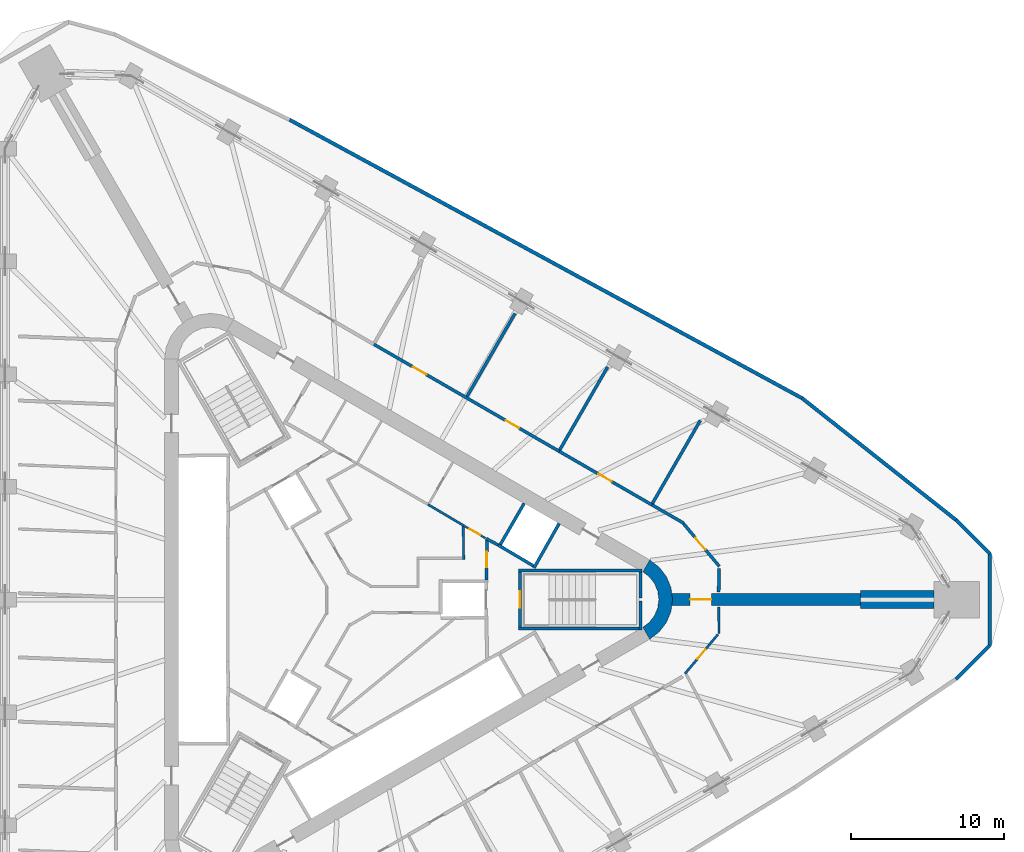
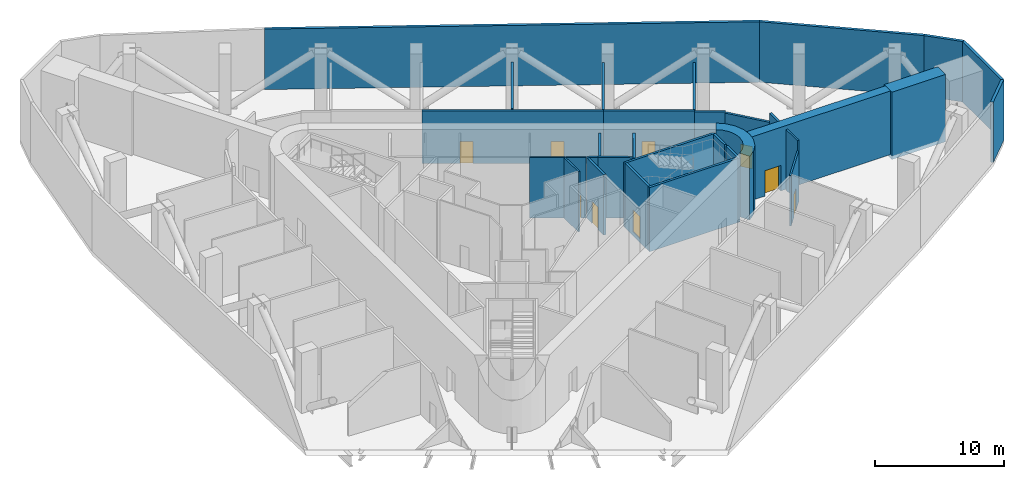
# One storey, part 7 of 13: 31 walls, 9 doors, 9 openings.
"""IFC4 building model written with IfcOpenShell, lengths in metres."""

from ifc_helpers import new_model, si_unit, direction, frame, frame_2d, origin, place, context, subcontext, project, spatial, polyline, rectangle, outline, extrude, material, layer, layer_set, type_object, element, fill, save


model = new_model("IFC4")

# Units and contexts
model_context = context("Model", 3, precision=1e-05, world=origin(), true_north=direction((0.0, 1.0)))
body_context = subcontext(model_context, "Body", "Model", "MODEL_VIEW")
ifc_project = project(units=[si_unit("LENGTHUNIT", "METRE"), si_unit("AREAUNIT", "SQUARE_METRE"), si_unit("VOLUMEUNIT", "CUBIC_METRE"), si_unit("PLANEANGLEUNIT", "RADIAN"), si_unit("MASSUNIT", "GRAM", prefix="KILO")], contexts=[model_context])

# Site, building, storey
site_placement = place(None, origin())
site = spatial("IfcSite", under=ifc_project, at=site_placement, CompositionType="ELEMENT")
building_placement = place(site_placement, origin())
building = spatial("IfcBuilding", under=site, at=building_placement, Name="Tanit Gate Tower", CompositionType="ELEMENT")
storey_placement = place(building_placement, frame((0.0, 0.0, 163.199951171875)))
storey = spatial("IfcBuildingStorey", under=building, at=storey_placement, Name="L35", CompositionType="ELEMENT", Elevation=163.199951171875)

# Wall, opening, door
ifc_material_1 = material(Name="Concrete C60/75", Category="concrete")
ifc_layer_1 = layer(ifc_material_1, 0.800048828125)
ifc_layer_set_1 = layer_set([ifc_layer_1], Name="BUTTRESS FIN 800 C60/75")
wall_type_1 = type_object("IfcWallType", Name="BUTTRESS FIN 800 C60/75", PredefinedType="SHEAR", material=ifc_layer_set_1)
wall_1_placement = place(storey_placement, frame((21.14990234375, 0.0, 0.0), z_axis=(0.0, 0.0, 1.0), x_axis=(1.0, 0.0, 0.0)))
wall_1 = element("IfcWall", 1, at=wall_1_placement, inside=storey, type_object=wall_type_1, Name="BUTTRESS FIN", PredefinedType="SHEAR", context=body_context, shape_type="SweptSolid", body=[
    extrude(rectangle(XDim=12.3837890625, YDim=0.800048828125, at=frame_2d((6.19189453125, 0.0))), origin(), (0.0, 0.0, 1.0), 6.0),
])
opening_1_placement = place(wall_1_placement, frame((1.199951171875, 0.0, 0.0)))
opening_1 = element("IfcOpeningElement", 2, at=opening_1_placement, cuts=wall_1, Name="Opening P14-35-F-E-1", PredefinedType="OPENING", context=body_context, shape_type="SweptSolid", body=[
    extrude(rectangle(XDim=1.39990234375, YDim=2.39990234375, at=frame_2d((0.699951171875, 1.199951171875))), frame((0.0, 0.41015625, 0.0), z_axis=(0.0, -1.0, 0.0), x_axis=(1.0, 0.0, 0.0)), (0.0, 0.0, 1.0), 0.820068359375),
])
ifc_material_2 = material(Name="Timber door leaf", Category="wood")
door_type_1 = type_object("IfcDoorType", Name="INT-DOOR-FIN-PAIR-1400", OperationType="NOTDEFINED", PredefinedType="NOTDEFINED", material=ifc_material_2)
door_1_placement = place(opening_1_placement, origin())
door_1 = element("IfcDoor", 3, at=door_1_placement, inside=storey, type_object=door_type_1, Name="Door P14-35-F-E-1", OperationType="DOUBLE_DOOR_SINGLE_SWING", OverallHeight=2.39990234375, OverallWidth=1.39990234375, PredefinedType="NOTDEFINED", context=body_context, shape_type="SweptSolid", body=[
    extrude(rectangle(XDim=1.39990234375, YDim=2.39990234375, at=frame_2d((0.699951171875, 1.199951171875))), frame((0.0, 0.02490234375, 0.0), z_axis=(0.0, -1.0, 0.0), x_axis=(1.0, 0.0, 0.0)), (0.0, 0.0, 1.0), 0.050048828125),
])
fill(opening_1, door_1)

# Walls
ifc_material_3 = material(Name="Concrete C60/75", Category="concrete")
ifc_layer_2 = layer(ifc_material_3, 0.89990234375)
ifc_layer_set_2 = layer_set([ifc_layer_2], Name="CORE WALL 900 C60/75")
wall_type_2 = type_object("IfcWallType", Name="CORE WALL 900 C60/75", PredefinedType="SHEAR", material=ifc_layer_set_2)
wall_2_placement = place(storey_placement, origin())
element("IfcWall", 4, at=wall_2_placement, inside=storey, type_object=wall_type_2, Name="CORE WALL CORNER", PredefinedType="SHEAR", context=body_context, shape_type="SweptSolid", body=[
    extrude(outline(polyline([(19.699951171875, -2.59814453125), (20.3212890625, -2.121337890625), (20.798095703125, -1.5), (21.097900390625, -0.776611328125), (21.199951171875, 0.0), (21.097900390625, 0.776611328125), (20.798095703125, 1.5), (20.3212890625, 2.121337890625), (19.699951171875, 2.59814453125), (19.25, 1.818603515625), (19.684814453125, 1.48486328125), (20.018798828125, 1.050048828125), (20.228515625, 0.54345703125), (20.300048828125, 0.0), (20.228515625, -0.54345703125), (20.018798828125, -1.050048828125), (19.684814453125, -1.48486328125), (19.25, -1.818603515625), (19.699951171875, -2.59814453125)])), origin(), (0.0, 0.0, 1.0), 6.0),
])
ifc_material_4 = material(Name="Concrete C30/37 with bronze anodised aluminium cladding", Category="concrete")
ifc_layer_3 = layer(ifc_material_4, 0.239990234375)
ifc_layer_set_3 = layer_set([ifc_layer_3], Name="Facade wall bronze clad 240")
wall_type_3 = type_object("IfcWallType", Name="Facade wall bronze clad 240", PredefinedType="SOLIDWALL", material=ifc_layer_set_3)
wall_3_placement = place(storey_placement, frame((39.782958984375, 5.22314453125, 0.0), z_axis=(0.0, 0.0, 1.0), x_axis=(-0.784248951483, 0.62044627656, 0.0)))
element("IfcWall", 5, at=wall_3_placement, inside=storey, type_object=wall_type_3, Name="Bronze-clad facade wall L35 NE1", PredefinedType="SOLIDWALL", context=body_context, shape_type="SweptSolid", body=[
    extrude(rectangle(XDim=12.86572265625, YDim=0.239990234375, at=frame_2d((6.432861328125, 0.0))), origin(), (0.0, 0.0, 1.0), 5.699951171875),
])
wall_4_placement = place(storey_placement, frame((29.693115234375, 13.20556640625, 0.0), z_axis=(0.0, 0.0, 1.0), x_axis=(-0.878694903116, 0.477383773539, 0.0)))
element("IfcWall", 6, at=wall_4_placement, inside=storey, type_object=wall_type_3, Name="Bronze-clad facade wall L35 NE2", PredefinedType="SOLIDWALL", context=body_context, shape_type="SweptSolid", body=[
    extrude(rectangle(XDim=38.239013671875, YDim=0.239990234375, at=frame_2d((19.11962890625, 0.0))), origin(), (0.0, 0.0, 1.0), 5.699951171875),
])
wall_5_placement = place(storey_placement, frame((39.7861328125, -5.2197265625, 0.0), z_axis=(0.0, 0.0, 1.0), x_axis=(0.707106781187, 0.707106781187, 0.0)))
element("IfcWall", 7, at=wall_5_placement, inside=storey, type_object=wall_type_3, Name="Bronze-clad facade wall L35 E.arc1", PredefinedType="SOLIDWALL", context=body_context, shape_type="SweptSolid", body=[
    extrude(rectangle(XDim=3.1318359375, YDim=0.239990234375, at=frame_2d((1.56591796875, 0.0))), origin(), (0.0, 0.0, 1.0), 5.699951171875),
])
wall_6_placement = place(storey_placement, frame((42.000732421875, -3.005126953125, 0.0), z_axis=(0.0, 0.0, 1.0), x_axis=(0.0, 1.0, 0.0)))
element("IfcWall", 8, at=wall_6_placement, inside=storey, type_object=wall_type_3, Name="Bronze-clad facade wall L35 E.arc2", PredefinedType="SOLIDWALL", context=body_context, shape_type="SweptSolid", body=[
    extrude(rectangle(XDim=6.01025390625, YDim=0.239990234375, at=frame_2d((3.005126953125, 0.0))), origin(), (0.0, 0.0, 1.0), 5.699951171875),
])
wall_7_placement = place(storey_placement, frame((42.000732421875, 3.005126953125, 0.0), z_axis=(0.0, 0.0, 1.0), x_axis=(-0.707067861805, 0.707145698426, 0.0)))
element("IfcWall", 9, at=wall_7_placement, inside=storey, type_object=wall_type_3, Name="Bronze-clad facade wall L35 E.arc3", PredefinedType="SOLIDWALL", context=body_context, shape_type="SweptSolid", body=[
    extrude(rectangle(XDim=3.136474609375, YDim=0.239990234375, at=frame_2d((1.568359375, 0.0))), origin(), (0.0, 0.0, 1.0), 5.699951171875),
])
ifc_material_5 = material(Name="Fire-rated gypsum board partition")
ifc_layer_4 = layer(ifc_material_5, 0.199951171875)
ifc_layer_set_4 = layer_set([ifc_layer_4], Name="INT-WALL-COMPARTMENT")
wall_type_4 = type_object("IfcWallType", Name="INT-WALL-COMPARTMENT", PredefinedType="PARTITIONING", material=ifc_layer_set_4)
wall_8_placement = place(storey_placement, frame((8.97412109375, 3.998779296875, 0.0), z_axis=(0.0, 0.0, 1.0), x_axis=(0.880917147855, -0.473270513147, 0.0)))
element("IfcWall", 10, at=wall_8_placement, inside=storey, type_object=wall_type_4, Name="Wall Compartment W054", PredefinedType="PARTITIONING", context=body_context, shape_type="SweptSolid", body=[
    extrude(rectangle(XDim=0.8779296875, YDim=0.199951171875, at=frame_2d((0.43896484375, 0.0))), origin(), (0.0, 0.0, 1.0), 5.699951171875),
])

# Wall, opening, door
wall_9_placement = place(storey_placement, frame((9.0009765625, 1.27001953125, 0.0), z_axis=(0.0, 0.0, 1.0), x_axis=(0.010723968736, 0.999942496594, 0.0)))
wall_9 = element("IfcWall", 11, at=wall_9_placement, inside=storey, type_object=wall_type_4, Name="Wall Compartment W067", PredefinedType="PARTITIONING", context=body_context, shape_type="SweptSolid", body=[
    extrude(rectangle(XDim=2.709228515625, YDim=0.199951171875, at=frame_2d((1.3544921875, 0.0))), origin(), (0.0, 0.0, 1.0), 5.699951171875),
])
opening_2_placement = place(wall_9_placement, frame((0.848388671875, 0.0, 0.0)))
opening_2 = element("IfcOpeningElement", 12, at=opening_2_placement, cuts=wall_9, Name="Opening F10-35-02", PredefinedType="OPENING", context=body_context, shape_type="SweptSolid", body=[
    extrude(rectangle(XDim=1.0, YDim=2.10009765625, at=frame_2d((0.5, 1.050048828125))), frame((0.0, 0.10986328125, 0.0), z_axis=(0.0, -1.0, 0.0), x_axis=(1.0, 0.0, 0.0)), (0.0, 0.0, 1.0), 0.219970703125),
])
ifc_material_6 = material(Name="Fire-rated steel door leaf", Category="steel")
door_type_2 = type_object("IfcDoorType", Name="INT-DOOR-FIRE-1000", OperationType="NOTDEFINED", PredefinedType="USERDEFINED", material=ifc_material_6)
door_2_placement = place(opening_2_placement, origin())
door_2 = element("IfcDoor", 13, at=door_2_placement, inside=storey, type_object=door_type_2, Name="Door F10-35-02", ObjectType="FIRE DOOR", OperationType="SINGLE_SWING_LEFT", OverallHeight=2.10009765625, OverallWidth=1.0, PredefinedType="USERDEFINED", context=body_context, shape_type="SweptSolid", body=[
    extrude(rectangle(XDim=1.0, YDim=2.10009765625, at=frame_2d((0.5, 1.050048828125))), frame((0.0, 0.02490234375, 0.0), z_axis=(0.0, -1.0, 0.0), x_axis=(1.0, 0.0, 0.0)), (0.0, 0.0, 1.0), 0.050048828125),
])
fill(opening_2, door_2)

# Wall
wall_10_placement = place(storey_placement, frame((21.944091796875, 4.99755859375, 0.0), z_axis=(0.0, 0.0, 1.0), x_axis=(-0.866051307416, 0.49995513091, 0.0)))
element("IfcWall", 14, at=wall_10_placement, inside=storey, type_object=wall_type_4, Name="Wall Compartment W113", PredefinedType="PARTITIONING", context=body_context, shape_type="SweptSolid", body=[
    extrude(rectangle(XDim=2.422119140625, YDim=0.199951171875, at=frame_2d((1.2109375, 0.0))), origin(), (0.0, 0.0, 1.0), 4.880126953125),
])

# Wall, opening, door
wall_11_placement = place(storey_placement, frame((19.846435546875, 6.20849609375, 0.0), z_axis=(0.0, 0.0, 1.0), x_axis=(-0.866029143232, 0.499993523031, 0.0)))
wall_11 = element("IfcWall", 15, at=wall_11_placement, inside=storey, type_object=wall_type_4, Name="Wall Compartment W116", PredefinedType="PARTITIONING", context=body_context, shape_type="SweptSolid", body=[
    extrude(rectangle(XDim=7.0166015625, YDim=0.199951171875, at=frame_2d((3.50830078125, 0.0))), origin(), (0.0, 0.0, 1.0), 4.97998046875),
])
opening_3_placement = place(wall_11_placement, frame((3.050048828125, 0.0, 0.0)))
opening_3 = element("IfcOpeningElement", 16, at=opening_3_placement, cuts=wall_11, Name="Opening F10-35-30", PredefinedType="OPENING", context=body_context, shape_type="SweptSolid", body=[
    extrude(rectangle(XDim=1.0, YDim=2.10009765625, at=frame_2d((0.5, 1.050048828125))), frame((0.0, 0.10986328125, 0.0), z_axis=(0.0, -1.0, 0.0), x_axis=(1.0, 0.0, 0.0)), (0.0, 0.0, 1.0), 0.219970703125),
])
door_3_placement = place(opening_3_placement, origin())
door_3 = element("IfcDoor", 17, at=door_3_placement, inside=storey, type_object=door_type_2, Name="Door F10-35-30", ObjectType="FIRE DOOR", OperationType="SINGLE_SWING_LEFT", OverallHeight=2.10009765625, OverallWidth=1.0, PredefinedType="USERDEFINED", context=body_context, shape_type="SweptSolid", body=[
    extrude(rectangle(XDim=1.0, YDim=2.10009765625, at=frame_2d((0.5, 1.050048828125))), frame((0.0, 0.02490234375, 0.0), z_axis=(0.0, -1.0, 0.0), x_axis=(1.0, 0.0, 0.0)), (0.0, 0.0, 1.0), 0.050048828125),
])
fill(opening_3, door_3)

# Wall, openings, doors
wall_12_placement = place(storey_placement, frame((13.769775390625, 9.716796875, 0.0), z_axis=(0.0, 0.0, 1.0), x_axis=(-0.866024793964, 0.500001056239, 0.0)))
wall_12 = element("IfcWall", 18, at=wall_12_placement, inside=storey, type_object=wall_type_4, Name="Wall Compartment W117", PredefinedType="PARTITIONING", context=body_context, shape_type="SweptSolid", body=[
    extrude(rectangle(XDim=14.033203125, YDim=0.199951171875, at=frame_2d((7.0166015625, 0.0))), origin(), (0.0, 0.0, 1.0), 4.97998046875),
])
opening_4_placement = place(wall_12_placement, frame((3.050048828125, 0.0, 0.0)))
opening_4 = element("IfcOpeningElement", 19, at=opening_4_placement, cuts=wall_12, Name="Opening F10-35-31", PredefinedType="OPENING", context=body_context, shape_type="SweptSolid", body=[
    extrude(rectangle(XDim=1.0, YDim=2.10009765625, at=frame_2d((0.5, 1.050048828125))), frame((0.0, 0.10986328125, 0.0), z_axis=(0.0, -1.0, 0.0), x_axis=(1.0, 0.0, 0.0)), (0.0, 0.0, 1.0), 0.219970703125),
])
opening_5_placement = place(wall_12_placement, frame((10.066650390625, 0.0, 0.0)))
opening_5 = element("IfcOpeningElement", 20, at=opening_5_placement, cuts=wall_12, Name="Opening F10-35-32", PredefinedType="OPENING", context=body_context, shape_type="SweptSolid", body=[
    extrude(rectangle(XDim=1.0, YDim=2.10009765625, at=frame_2d((0.5, 1.050048828125))), frame((0.0, 0.10986328125, 0.0), z_axis=(0.0, -1.0, 0.0), x_axis=(1.0, 0.0, 0.0)), (0.0, 0.0, 1.0), 0.219970703125),
])
door_4_placement = place(opening_4_placement, origin())
door_4 = element("IfcDoor", 21, at=door_4_placement, inside=storey, type_object=door_type_2, Name="Door F10-35-31", ObjectType="FIRE DOOR", OperationType="SINGLE_SWING_LEFT", OverallHeight=2.10009765625, OverallWidth=1.0, PredefinedType="USERDEFINED", context=body_context, shape_type="SweptSolid", body=[
    extrude(rectangle(XDim=1.0, YDim=2.10009765625, at=frame_2d((0.5, 1.050048828125))), frame((0.0, 0.02490234375, 0.0), z_axis=(0.0, -1.0, 0.0), x_axis=(1.0, 0.0, 0.0)), (0.0, 0.0, 1.0), 0.050048828125),
])
fill(opening_4, door_4)
door_5_placement = place(opening_5_placement, origin())
door_5 = element("IfcDoor", 22, at=door_5_placement, inside=storey, type_object=door_type_2, Name="Door F10-35-32", ObjectType="FIRE DOOR", OperationType="SINGLE_SWING_RIGHT", OverallHeight=2.10009765625, OverallWidth=1.0, PredefinedType="USERDEFINED", context=body_context, shape_type="SweptSolid", body=[
    extrude(rectangle(XDim=1.0, YDim=2.10009765625, at=frame_2d((0.5, 1.050048828125))), frame((0.0, 0.02490234375, 0.0), z_axis=(0.0, -1.0, 0.0), x_axis=(1.0, 0.0, 0.0)), (0.0, 0.0, 1.0), 0.050048828125),
])
fill(opening_5, door_5)

# Wall, opening, door
wall_13_placement = place(storey_placement, frame((24.27001953125, 2.172119140625, 0.0), z_axis=(0.0, 0.0, 1.0), x_axis=(-0.642770427342, 0.76605886049, 0.0)))
wall_13 = element("IfcWall", 23, at=wall_13_placement, inside=storey, type_object=wall_type_4, Name="Wall Compartment W114", PredefinedType="PARTITIONING", context=body_context, shape_type="SweptSolid", body=[
    extrude(rectangle(XDim=3.653564453125, YDim=0.199951171875, at=frame_2d((1.82666015625, 0.0))), origin(), (0.0, 0.0, 1.0), 4.780029296875),
])
opening_6_placement = place(wall_13_placement, frame((1.437255859375, 0.0, 0.0)))
opening_6 = element("IfcOpeningElement", 24, at=opening_6_placement, cuts=wall_13, Name="Opening F10-35-29", PredefinedType="OPENING", context=body_context, shape_type="SweptSolid", body=[
    extrude(rectangle(XDim=1.0, YDim=2.10009765625, at=frame_2d((0.5, 1.050048828125))), frame((0.0, 0.10986328125, 0.0), z_axis=(0.0, -1.0, 0.0), x_axis=(1.0, 0.0, 0.0)), (0.0, 0.0, 1.0), 0.219970703125),
])
door_6_placement = place(opening_6_placement, origin())
door_6 = element("IfcDoor", 25, at=door_6_placement, inside=storey, type_object=door_type_2, Name="Door F10-35-29", ObjectType="FIRE DOOR", OperationType="SINGLE_SWING_RIGHT", OverallHeight=2.10009765625, OverallWidth=1.0, PredefinedType="USERDEFINED", context=body_context, shape_type="SweptSolid", body=[
    extrude(rectangle(XDim=1.0, YDim=2.10009765625, at=frame_2d((0.5, 1.050048828125))), frame((0.0, 0.02490234375, 0.0), z_axis=(0.0, -1.0, 0.0), x_axis=(1.0, 0.0, 0.0)), (0.0, 0.0, 1.0), 0.050048828125),
])
fill(opening_6, door_6)

# Walls
wall_14_placement = place(storey_placement, frame((24.22314453125, 0.5, 0.0), z_axis=(0.0, 0.0, 1.0), x_axis=(0.013565560275, 0.999907983554, 0.0)))
element("IfcWall", 26, at=wall_14_placement, inside=storey, type_object=wall_type_4, Name="Wall Compartment W115", PredefinedType="PARTITIONING", context=body_context, shape_type="SweptSolid", body=[
    extrude(rectangle(XDim=1.5478515625, YDim=0.199951171875, at=frame_2d((0.77392578125, 0.0))), origin(), (0.0, 0.0, 1.0), 5.699951171875),
])
for number, where, z_axis, x_axis, name in (
    (27, (23.017822265625, 11.74169921875, 0.0), (0.0, 0.0, 1.0), (-0.499987288472, -0.866032742664, 0.0), "Wall Compartment W123"),
    (28, (13.802490234375, 9.8134765625, 0.0), (0.0, 0.0, 1.0), (0.499987288472, 0.866032742664, 0.0), "Wall Compartment W124"),
):
    element("IfcWall", number, at=place(storey_placement, frame(where, z_axis=z_axis, x_axis=x_axis)), inside=storey, type_object=wall_type_4, Name=name, PredefinedType="PARTITIONING", context=body_context, shape_type="SweptSolid", body=[
        extrude(rectangle(XDim=6.277587890625, YDim=0.199951171875, at=frame_2d((3.138671875, 0.0))), origin(), (0.0, 0.0, 1.0), 4.97998046875),
    ])
wall_15_placement = place(storey_placement, frame((10.86474609375, 18.75830078125, 0.0), z_axis=(0.0, 0.0, 1.0), x_axis=(-0.499987288472, -0.866032742664, 0.0)))
element("IfcWall", 29, at=wall_15_placement, inside=storey, type_object=wall_type_4, Name="Wall Compartment W125", PredefinedType="PARTITIONING", context=body_context, shape_type="SweptSolid", body=[
    extrude(rectangle(XDim=6.277587890625, YDim=0.199951171875, at=frame_2d((3.138671875, 0.0))), origin(), (0.0, 0.0, 1.0), 5.070068359375),
])

# Wall, opening, door
ifc_material_7 = material(Name="Gypsum board partition")
ifc_layer_5 = layer(ifc_material_7, 0.1201171875)
ifc_layer_set_5 = layer_set([ifc_layer_5], Name="INT-WALL-PARTITION")
wall_type_5 = type_object("IfcWallType", Name="INT-WALL-PARTITION", PredefinedType="PARTITIONING", material=ifc_layer_set_5)
wall_16_placement = place(storey_placement, frame((7.550048828125, 4.82080078125, 0.0), z_axis=(0.0, 0.0, 1.0), x_axis=(0.866019818373, -0.500009674092, 0.0)))
wall_16 = element("IfcWall", 30, at=wall_16_placement, inside=storey, type_object=wall_type_5, Name="Wall Partition W056", PredefinedType="PARTITIONING", context=body_context, shape_type="SweptSolid", body=[
    extrude(rectangle(XDim=1.59423828125, YDim=0.1201171875, at=frame_2d((0.797119140625, 0.0))), origin(), (0.0, 0.0, 1.0), 5.699951171875),
])
opening_7_placement = place(wall_16_placement, frame((0.397216796875, 0.0, 0.0)))
opening_7 = element("IfcOpeningElement", 31, at=opening_7_placement, cuts=wall_16, Name="Opening R08-35-14", PredefinedType="OPENING", context=body_context, shape_type="SweptSolid", body=[
    extrude(rectangle(XDim=0.800048828125, YDim=2.10009765625, at=frame_2d((0.39990234375, 1.050048828125))), frame((0.0, 0.070068359375, 0.0), z_axis=(0.0, -1.0, 0.0), x_axis=(1.0, 0.0, 0.0)), (0.0, 0.0, 1.0), 0.14013671875),
])
ifc_material_8 = material(Name="Timber door leaf", Category="wood")
door_type_3 = type_object("IfcDoorType", Name="INT-DOOR-RISER-800", OperationType="NOTDEFINED", PredefinedType="USERDEFINED", material=ifc_material_8)
door_7_placement = place(opening_7_placement, origin())
door_7 = element("IfcDoor", 32, at=door_7_placement, inside=storey, type_object=door_type_3, Name="Door R08-35-14", ObjectType="FIRE DOOR", OperationType="SINGLE_SWING_RIGHT", OverallHeight=2.10009765625, OverallWidth=0.800048828125, PredefinedType="USERDEFINED", context=body_context, shape_type="SweptSolid", body=[
    extrude(rectangle(XDim=0.800048828125, YDim=2.10009765625, at=frame_2d((0.39990234375, 1.050048828125))), frame((0.0, 0.02490234375, 0.0), z_axis=(0.0, -1.0, 0.0), x_axis=(1.0, 0.0, 0.0)), (0.0, 0.0, 1.0), 0.050048828125),
])
fill(opening_7, door_7)

# Walls
ifc_material_9 = material(Name="Fire-rated gypsum board partition")
ifc_layer_6 = layer(ifc_material_9, 0.14990234375)
ifc_layer_set_6 = layer_set([ifc_layer_6], Name="INT-WALL-RISER")
wall_type_6 = type_object("IfcWallType", Name="INT-WALL-RISER", PredefinedType="PLUMBINGWALL", material=ifc_layer_set_6)
wall_17_placement = place(storey_placement, frame((7.530029296875, 4.83251953125, 0.0), z_axis=(0.0, 0.0, 1.0), x_axis=(-0.860550523279, 0.509365091938, 0.0)))
element("IfcWall", 33, at=wall_17_placement, inside=storey, type_object=wall_type_6, Name="Wall Riser W055", PredefinedType="PLUMBINGWALL", context=body_context, shape_type="SweptSolid", body=[
    extrude(rectangle(XDim=2.755126953125, YDim=0.14990234375, at=frame_2d((1.37744140625, 0.0))), origin(), (0.0, 0.0, 1.0), 5.699951171875),
])
wall_18_placement = place(storey_placement, frame((7.5009765625, 2.625, 0.0), z_axis=(0.0, 0.0, 1.0), x_axis=(-0.011799927307, 0.999930378434, 0.0)))
element("IfcWall", 34, at=wall_18_placement, inside=storey, type_object=wall_type_6, Name="Wall Riser W082", PredefinedType="PLUMBINGWALL", context=body_context, shape_type="SweptSolid", body=[
    extrude(rectangle(XDim=2.15185546875, YDim=0.14990234375, at=frame_2d((1.075927734375, 0.0))), origin(), (0.0, 0.0, 1.0), 5.699951171875),
])
wall_19_placement = place(storey_placement, frame((24.24658203125, -2.228515625, 0.0), z_axis=(0.0, 0.0, 1.0), x_axis=(-0.01355807573, 0.999908085067, 0.0)))
element("IfcWall", 35, at=wall_19_placement, inside=storey, type_object=wall_type_6, Name="Wall Riser W139", PredefinedType="PLUMBINGWALL", context=body_context, shape_type="SweptSolid", body=[
    extrude(rectangle(XDim=1.728759765625, YDim=0.14990234375, at=frame_2d((0.8642578125, 0.0))), origin(), (0.0, 0.0, 1.0), 5.699951171875),
])

# Wall, opening, door
wall_20_placement = place(storey_placement, frame((22.016845703125, -4.857421875, 0.0), z_axis=(0.0, 0.0, 1.0), x_axis=(0.642787339708, 0.766044669658, 0.0)))
wall_20 = element("IfcWall", 36, at=wall_20_placement, inside=storey, type_object=wall_type_6, Name="Wall Riser W140", PredefinedType="PLUMBINGWALL", context=body_context, shape_type="SweptSolid", body=[
    extrude(rectangle(XDim=3.353271484375, YDim=0.14990234375, at=frame_2d((1.6767578125, 0.0))), origin(), (0.0, 0.0, 1.0), 4.780029296875),
])
opening_8_placement = place(wall_20_placement, frame((1.270263671875, 0.0, 0.0)))
opening_8 = element("IfcOpeningElement", 37, at=opening_8_placement, cuts=wall_20, Name="Opening R08-35-44", PredefinedType="OPENING", context=body_context, shape_type="SweptSolid", body=[
    extrude(rectangle(XDim=0.800048828125, YDim=2.10009765625, at=frame_2d((0.39990234375, 1.050048828125))), frame((0.0, 0.0849609375, 0.0), z_axis=(0.0, -1.0, 0.0), x_axis=(1.0, 0.0, 0.0)), (0.0, 0.0, 1.0), 0.169921875),
])
door_8_placement = place(opening_8_placement, origin())
door_8 = element("IfcDoor", 38, at=door_8_placement, inside=storey, type_object=door_type_3, Name="Door R08-35-44", ObjectType="FIRE DOOR", OperationType="SINGLE_SWING_LEFT", OverallHeight=2.10009765625, OverallWidth=0.800048828125, PredefinedType="USERDEFINED", context=body_context, shape_type="SweptSolid", body=[
    extrude(rectangle(XDim=0.800048828125, YDim=2.10009765625, at=frame_2d((0.39990234375, 1.050048828125))), frame((0.0, 0.02490234375, 0.0), z_axis=(0.0, -1.0, 0.0), x_axis=(1.0, 0.0, 0.0)), (0.0, 0.0, 1.0), 0.050048828125),
])
fill(opening_8, door_8)

# Walls
ifc_material_10 = material(Name="Gypsum shaft wall system")
ifc_layer_7 = layer(ifc_material_10, 0.199951171875)
ifc_layer_set_7 = layer_set([ifc_layer_7], Name="INT-WALL-SHAFT")
wall_type_7 = type_object("IfcWallType", Name="INT-WALL-SHAFT", PredefinedType="PLUMBINGWALL", material=ifc_layer_set_7)
wall_21_placement = place(storey_placement, frame((9.8466796875, 3.494873046875, 0.0), z_axis=(0.0, 0.0, 1.0), x_axis=(0.499984717929, 0.866034226713, 0.0)))
element("IfcWall", 39, at=wall_21_placement, inside=storey, type_object=wall_type_7, Name="Wall Shaft W012", PredefinedType="PLUMBINGWALL", context=body_context, shape_type="SweptSolid", body=[
    extrude(rectangle(XDim=3.25, YDim=0.199951171875, at=frame_2d((1.625, 0.0))), origin(), (0.0, 0.0, 1.0), 5.699951171875),
])
wall_22_placement = place(storey_placement, frame((12.10986328125, 2.07275390625, 0.0), z_axis=(0.0, 0.0, 1.0), x_axis=(0.49196600604, 0.870614408852, 0.0)))
element("IfcWall", 40, at=wall_22_placement, inside=storey, type_object=wall_type_7, Name="Wall Shaft W013", PredefinedType="PLUMBINGWALL", context=body_context, shape_type="SweptSolid", body=[
    extrude(rectangle(XDim=3.35009765625, YDim=0.199951171875, at=frame_2d((1.675048828125, 0.0))), origin(), (0.0, 0.0, 1.0), 5.699951171875),
])
wall_23_placement = place(storey_placement, frame((12.072998046875, 2.2109375, 0.0), z_axis=(0.0, 0.0, 1.0), x_axis=(-0.860414880418, 0.509594185166, 0.0)))
element("IfcWall", 41, at=wall_23_placement, inside=storey, type_object=wall_type_7, Name="Wall Shaft W014", PredefinedType="PLUMBINGWALL", context=body_context, shape_type="SweptSolid", body=[
    extrude(rectangle(XDim=2.7001953125, YDim=0.199951171875, at=frame_2d((1.35009765625, 0.0))), origin(), (0.0, 0.0, 1.0), 5.699951171875),
])
ifc_material_11 = material(Name="Concrete C40/50", Category="concrete")
ifc_layer_8 = layer(ifc_material_11, 0.199951171875)
ifc_layer_set_8 = layer_set([ifc_layer_8], Name="INT-WALL-STAIR")
wall_type_8 = type_object("IfcWallType", Name="INT-WALL-STAIR", PredefinedType="SHEAR", material=ifc_layer_set_8)
wall_24_placement = place(storey_placement, frame((19.199951171875, 1.89990234375, -0.349853515625), z_axis=(0.0, 0.0, 1.0), x_axis=(-1.0, 0.0, 0.0)))
element("IfcWall", 42, at=wall_24_placement, inside=storey, type_object=wall_type_8, Name="Wall Stair W025", PredefinedType="SHEAR", context=body_context, shape_type="SweptSolid", body=[
    extrude(rectangle(XDim=8.099853515625, YDim=0.199951171875, at=frame_2d((4.0498046875, 0.0))), origin(), (0.0, 0.0, 1.0), 6.0498046875),
])
wall_25_placement = place(storey_placement, frame((19.10009765625, -2.0, -0.349853515625), z_axis=(0.0, 0.0, 1.0), x_axis=(0.0, 1.0, 0.0)))
element("IfcWall", 43, at=wall_25_placement, inside=storey, type_object=wall_type_8, Name="Wall Stair W027", PredefinedType="SHEAR", context=body_context, shape_type="SweptSolid", body=[
    extrude(rectangle(XDim=1.889892578125, YDim=0.199951171875, at=frame_2d((0.94482421875, 0.0))), origin(), (0.0, 0.0, 1.0), 6.0498046875),
])
wall_26_placement = place(storey_placement, frame((19.10009765625, 0.110107421875, -0.349853515625), z_axis=(0.0, 0.0, 1.0), x_axis=(0.0, 1.0, 0.0)))
element("IfcWall", 44, at=wall_26_placement, inside=storey, type_object=wall_type_8, Name="Wall Stair W026", PredefinedType="SHEAR", context=body_context, shape_type="SweptSolid", body=[
    extrude(rectangle(XDim=1.68994140625, YDim=0.199951171875, at=frame_2d((0.844970703125, 0.0))), origin(), (0.0, 0.0, 1.0), 6.0498046875),
])
wall_27_placement = place(storey_placement, frame((11.10009765625, -1.89990234375, -0.349853515625), z_axis=(0.0, 0.0, 1.0), x_axis=(1.0, 0.0, 0.0)))
element("IfcWall", 45, at=wall_27_placement, inside=storey, type_object=wall_type_8, Name="Wall Stair W028", PredefinedType="SHEAR", context=body_context, shape_type="SweptSolid", body=[
    extrude(rectangle(XDim=7.89990234375, YDim=0.199951171875, at=frame_2d((3.949951171875, 0.0))), origin(), (0.0, 0.0, 1.0), 6.0498046875),
])

# Wall, opening, door
wall_28_placement = place(storey_placement, frame((11.199951171875, -1.800048828125, -0.349853515625), z_axis=(0.0, 0.0, 1.0), x_axis=(0.0, 1.0, 0.0)))
wall_28 = element("IfcWall", 46, at=wall_28_placement, inside=storey, type_object=wall_type_8, Name="Wall Stair W029", PredefinedType="SHEAR", context=body_context, shape_type="SweptSolid", body=[
    extrude(rectangle(XDim=3.60009765625, YDim=0.199951171875, at=frame_2d((1.800048828125, 0.0))), origin(), (0.0, 0.0, 1.0), 6.0498046875),
])
opening_9_placement = place(wall_28_placement, frame((1.25, 0.0, 0.35009765625)))
opening_9 = element("IfcOpeningElement", 47, at=opening_9_placement, cuts=wall_28, Name="Opening S11-35-01", PredefinedType="OPENING", context=body_context, shape_type="SweptSolid", body=[
    extrude(rectangle(XDim=1.10009765625, YDim=2.10009765625, at=frame_2d((0.550048828125, 1.050048828125))), frame((0.0, 0.10986328125, 0.0), z_axis=(0.0, -1.0, 0.0), x_axis=(1.0, 0.0, 0.0)), (0.0, 0.0, 1.0), 0.219970703125),
])
ifc_material_12 = material(Name="Timber door leaf", Category="wood")
door_type_4 = type_object("IfcDoorType", Name="INT-DOOR-STAIR-1100", OperationType="NOTDEFINED", PredefinedType="USERDEFINED", material=ifc_material_12)
door_9_placement = place(opening_9_placement, origin())
door_9 = element("IfcDoor", 48, at=door_9_placement, inside=storey, type_object=door_type_4, Name="Door S11-35-01", ObjectType="FIRE DOOR", OperationType="SINGLE_SWING_RIGHT", OverallHeight=2.10009765625, OverallWidth=1.10009765625, PredefinedType="USERDEFINED", context=body_context, shape_type="SweptSolid", body=[
    extrude(rectangle(XDim=1.10009765625, YDim=2.10009765625, at=frame_2d((0.550048828125, 1.050048828125))), frame((0.0, 0.02490234375, 0.0), z_axis=(0.0, -1.0, 0.0), x_axis=(1.0, 0.0, 0.0)), (0.0, 0.0, 1.0), 0.050048828125),
])
fill(opening_9, door_9)

# Wall
ifc_material_13 = material(Name="Concrete C60/75", Category="concrete")
ifc_layer_9 = layer(ifc_material_13, 1.199951171875)
ifc_layer_set_9 = layer_set([ifc_layer_9], Name="OUTRIGGER WALL 1200 C60/75")
wall_type_9 = type_object("IfcWallType", Name="OUTRIGGER WALL 1200 C60/75", PredefinedType="SHEAR", material=ifc_layer_set_9)
wall_29_placement = place(storey_placement, frame((33.53369140625, 0.0, -0.349853515625), z_axis=(0.0, 0.0, 1.0), x_axis=(1.0, 0.0, 0.0)))
element("IfcWall", 49, at=wall_29_placement, inside=storey, type_object=wall_type_9, Name="OUTRIGGER WALL", PredefinedType="SHEAR", context=body_context, shape_type="SweptSolid", body=[
    extrude(rectangle(XDim=4.79638671875, YDim=1.199951171875, at=frame_2d((2.398193359375, 0.0))), origin(), (0.0, 0.0, 1.0), 6.349853515625),
])

save(model, "model.ifc")
